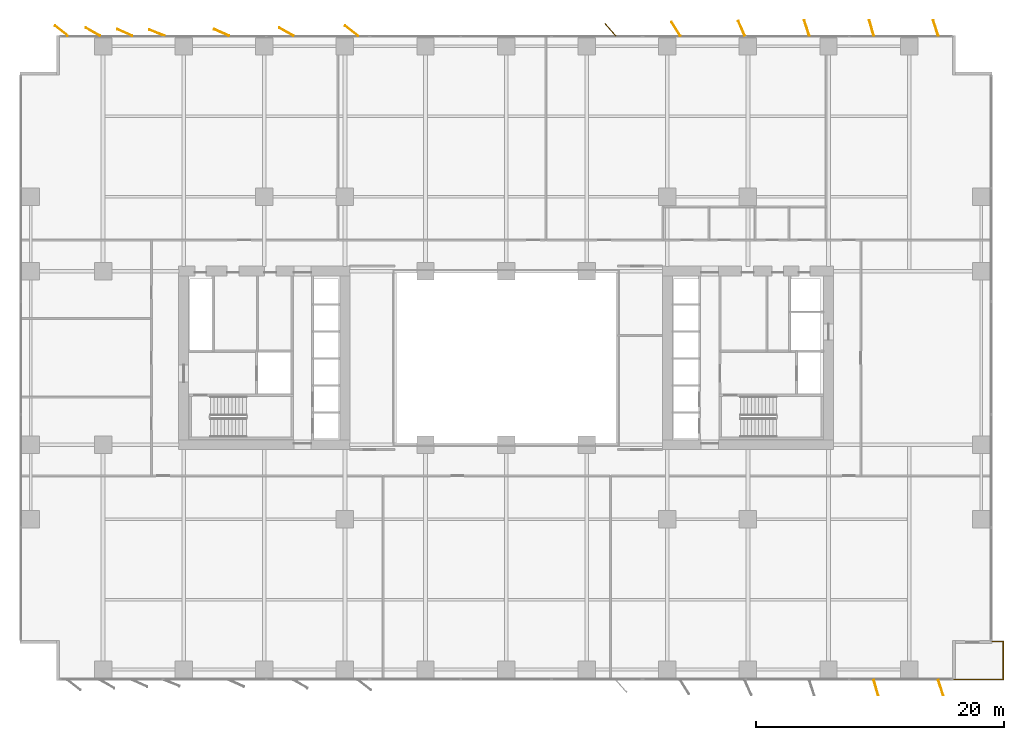
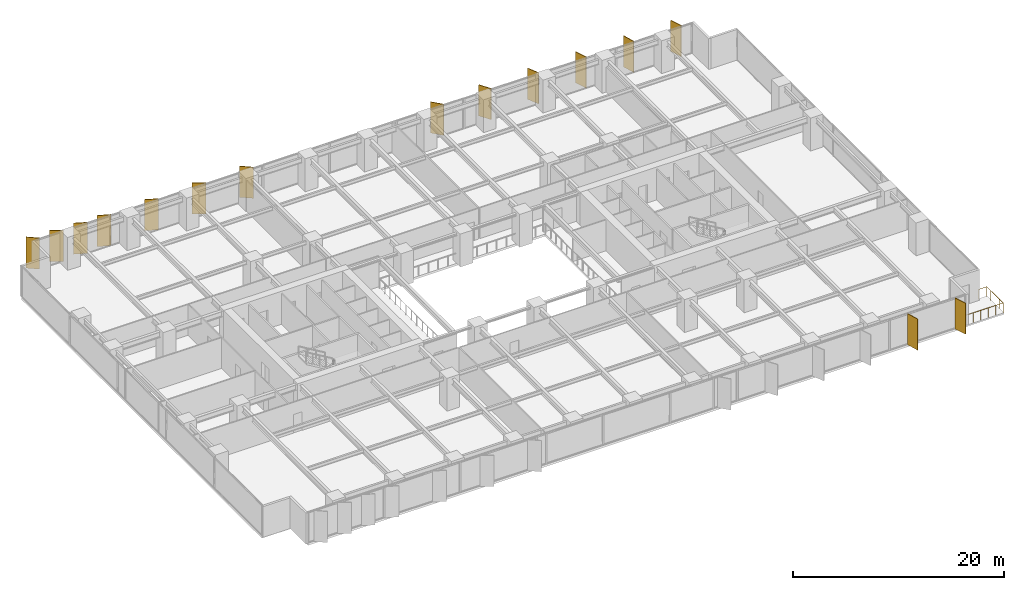
# One storey, part 20 of 20: 15 shading devices, 1 railing.
"""IFC4 building model written with IfcOpenShell, lengths in metres."""

from ifc_helpers import new_model, si_unit, direction, frame, origin, origin_2d, place, context, subcontext, project, spatial, rectangle, circle, extrude, material, layer, layer_set, type_object, element, save


model = new_model("IFC4")

# Units and contexts
model_context = context("Model", 3, precision=1e-05, world=origin(), true_north=direction((0.0, 1.0)))
body_context = subcontext(model_context, "Body", "Model", "MODEL_VIEW")
ifc_project = project(units=[si_unit("LENGTHUNIT", "METRE"), si_unit("AREAUNIT", "SQUARE_METRE"), si_unit("VOLUMEUNIT", "CUBIC_METRE"), si_unit("PLANEANGLEUNIT", "RADIAN"), si_unit("MASSUNIT", "GRAM", prefix="KILO")], contexts=[model_context])

# Site, building, storey
site_placement = place(None, origin())
site = spatial("IfcSite", under=ifc_project, at=site_placement, CompositionType="ELEMENT")
building_placement = place(site_placement, origin())
building = spatial("IfcBuilding", under=site, at=building_placement, Name="Putna Gate Headquarters", CompositionType="ELEMENT")
storey_placement = place(building_placement, frame((0.0, 0.0, 54.39990234375)))
storey = spatial("IfcBuildingStorey", under=building, at=storey_placement, Name="L12", CompositionType="ELEMENT", Elevation=54.39990234375)

# Railing
ifc_material_1 = material(Name="Anodised bronze steel and laminated glass guardrail", Category="steel")
railing_type = type_object("IfcRailingType", Name="RAIL-TERR-GUARD-1150", PredefinedType="GUARDRAIL", material=ifc_material_1)
railing_placement = place(storey_placement, frame((75.0, 0.06005859375, 0.0)))
element("IfcRailing", 1, at=railing_placement, inside=storey, type_object=railing_type, Name="L12 Spiral Sky Terrace Guardrail SE", PredefinedType="GUARDRAIL", context=body_context, shape_type="SweptSolid", body=[
    extrude(circle(Radius=0.02392578125, at=origin_2d()), frame((0.0, 0.0, 1.1259765625), z_axis=(1.0, 0.0, 0.0), x_axis=(0.0, 1.0, 0.0)), (0.0, 0.0, 1.0), 4.090087890625),
    extrude(circle(Radius=0.02392578125, at=origin_2d()), frame((4.090087890625, 0.0, 1.1259765625), z_axis=(0.0, 1.0, 0.0), x_axis=(-1.0, 0.0, 0.0)), (0.0, 0.0, 1.0), 3.079833984375),
    extrude(circle(Radius=0.02392578125, at=origin_2d()), frame((4.090087890625, 3.079833984375, 1.1259765625), z_axis=(-1.0, 0.0, 0.0), x_axis=(0.0, -1.0, 0.0)), (0.0, 0.0, 1.0), 0.89013671875),
    extrude(circle(Radius=0.02099609375, at=origin_2d()), origin(), (0.0, 0.0, 1.0), 1.101806640625),
    extrude(circle(Radius=0.02099609375, at=origin_2d()), frame((0.818115234375, 0.0, 0.0)), (0.0, 0.0, 1.0), 1.101806640625),
    extrude(circle(Radius=0.02099609375, at=origin_2d()), frame((1.635986328125, 0.0, 0.0)), (0.0, 0.0, 1.0), 1.101806640625),
    extrude(circle(Radius=0.02099609375, at=origin_2d()), frame((2.4541015625, 0.0, 0.0)), (0.0, 0.0, 1.0), 1.101806640625),
    extrude(circle(Radius=0.02099609375, at=origin_2d()), frame((3.27197265625, 0.0, 0.0)), (0.0, 0.0, 1.0), 1.101806640625),
    extrude(circle(Radius=0.02099609375, at=origin_2d()), frame((4.090087890625, 0.0, 0.0)), (0.0, 0.0, 1.0), 1.101806640625),
    extrude(circle(Radius=0.02099609375, at=origin_2d()), frame((4.090087890625, 0.77001953125, 0.0)), (0.0, 0.0, 1.0), 1.101806640625),
    extrude(circle(Radius=0.02099609375, at=origin_2d()), frame((4.090087890625, 1.5400390625, 0.0)), (0.0, 0.0, 1.0), 1.101806640625),
    extrude(circle(Radius=0.02099609375, at=origin_2d()), frame((4.090087890625, 2.309814453125, 0.0)), (0.0, 0.0, 1.0), 1.101806640625),
    extrude(circle(Radius=0.02099609375, at=origin_2d()), frame((4.090087890625, 3.079833984375, 0.0)), (0.0, 0.0, 1.0), 1.101806640625),
    extrude(circle(Radius=0.02099609375, at=origin_2d()), frame((3.199951171875, 3.079833984375, 0.0)), (0.0, 0.0, 1.0), 1.101806640625),
])

# Shading devices
ifc_material_2 = material(Name="Anodised architectural bronze aluminium fin", Category="aluminium")
ifc_layer = layer(ifc_material_2, 0.06494140625)
ifc_layer_set = layer_set([ifc_layer], Name="Anodised architectural bronze aluminium fin")
shading_device_type = type_object("IfcShadingDeviceType", Name="SHADE-BRONZE-FIN-1320", PredefinedType="USERDEFINED", material=ifc_layer_set)
for number, where, z_axis, x_axis, name in (
    (2, (3.13037109375, 52.3818359375, -0.02001953125), (0.0, 0.0, 1.0), (-0.787473187632, 0.616348909921, 0.0), "L12 Bronze Vertical Shading Fin N1"),
    (3, (5.67626953125, 52.30126953125, -0.02001953125), (0.0, 0.0, 1.0), (-0.869322458298, 0.494245347472, 0.0), "L12 Bronze Vertical Shading Fin N2"),
    (4, (8.2470703125, 52.2431640625, -0.02001953125), (0.0, 0.0, 1.0), (-0.913687379856, 0.40641773078, 0.0), "L12 Bronze Vertical Shading Fin N3"),
    (5, (10.838134765625, 52.22216796875, -0.02001953125), (0.0, 0.0, 1.0), (-0.927183854567, 0.374606593416, 0.0), "L12 Bronze Vertical Shading Fin N4"),
    (6, (16.047119140625, 52.2431640625, -0.02001953125), (0.0, 0.0, 1.0), (-0.913687379856, 0.40641773078, 0.0), "L12 Bronze Vertical Shading Fin N5"),
    (7, (21.276123046875, 52.30126953125, -0.02001953125), (0.0, 0.0, 1.0), (-0.869322458298, 0.494245347472, 0.0), "L12 Bronze Vertical Shading Fin N6"),
    (8, (26.5302734375, 52.3818359375, -0.02001953125), (0.0, 0.0, 1.0), (-0.787473187632, 0.616348909921, 0.0), "L12 Bronze Vertical Shading Fin N7"),
    (9, (47.408447265625, 52.465576171875, -0.02001953125), (0.0, 0.0, 1.0), (-0.669130606359, 0.743144825477, 0.0), "L12 Bronze Vertical Shading Fin N8"),
    (10, (52.69970703125, 52.534423828125, -0.02001953125), (0.0, 0.0, 1.0), (-0.530659123936, 0.847585331506, 0.0), "L12 Bronze Vertical Shading Fin N9"),
    (11, (57.985595703125, 52.57958984375, -0.02001953125), (0.0, 0.0, 1.0), (-0.400668879095, 0.916222925562, 0.0), "L12 Bronze Vertical Shading Fin N10"),
    (12, (63.246337890625, 52.602783203125, -0.02001953125), (0.0, 0.0, 1.0), (-0.308684994204, 0.951164325631, 0.0), "L12 Bronze Vertical Shading Fin N11"),
    (13, (68.831787109375, -0.609375, -0.02001953125), (0.0, 0.0, 1.0), (0.275637355817, -0.961261695938, 0.0), "L12 Bronze Vertical Shading Fin S12"),
    (14, (68.468017578125, 52.609375, -0.02001953125), (0.0, 0.0, 1.0), (-0.275637355817, 0.961261695938, 0.0), "L12 Bronze Vertical Shading Fin N12"),
    (15, (74.0537109375, -0.602783203125, -0.02001953125), (0.0, 0.0, 1.0), (0.308684994204, -0.951164325631, 0.0), "L12 Bronze Vertical Shading Fin S13"),
    (16, (73.646240234375, 52.602783203125, -0.02001953125), (0.0, 0.0, 1.0), (-0.308684994204, 0.951164325631, 0.0), "L12 Bronze Vertical Shading Fin N13"),
):
    element("IfcShadingDevice", number, at=place(storey_placement, frame(where, z_axis=z_axis, x_axis=x_axis)), inside=storey, type_object=shading_device_type, Name=name, ObjectType="FIN", PredefinedType="USERDEFINED", context=body_context, shape_type="SweptSolid", body=[
        extrude(rectangle(XDim=1.320068359375, YDim=0.06494140625, at=origin_2d()), origin(), (0.0, 0.0, 1.0), 3.590087890625),
    ])

save(model, "model.ifc")
